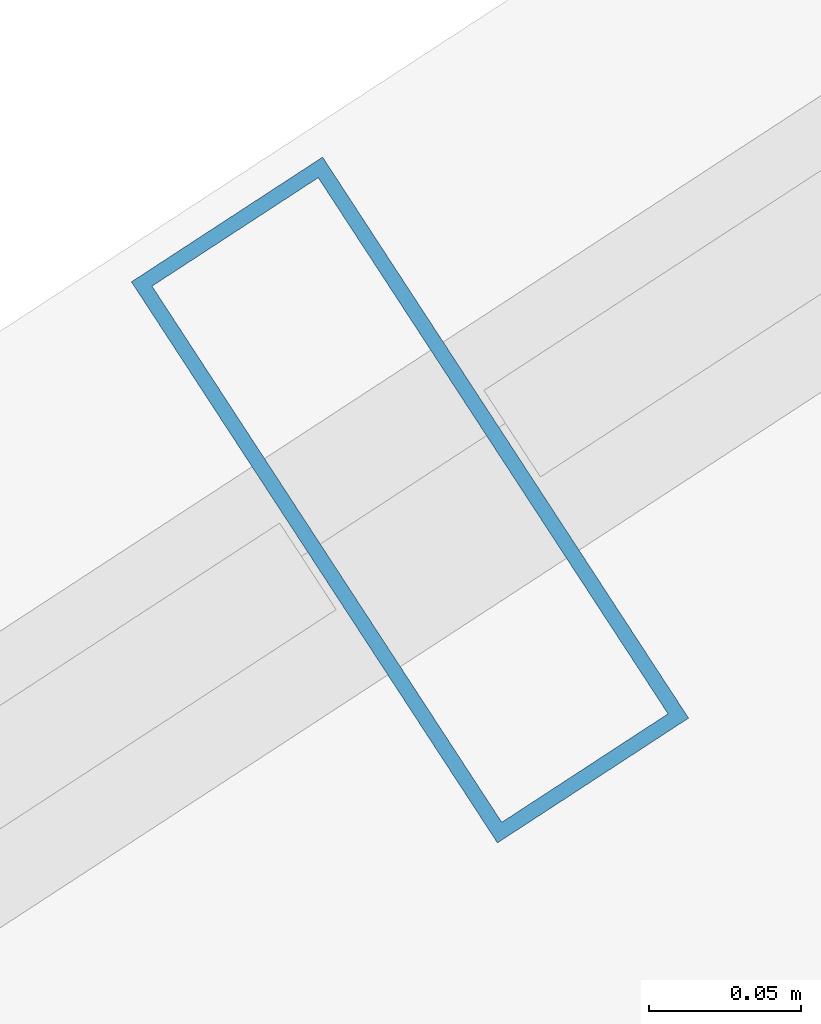
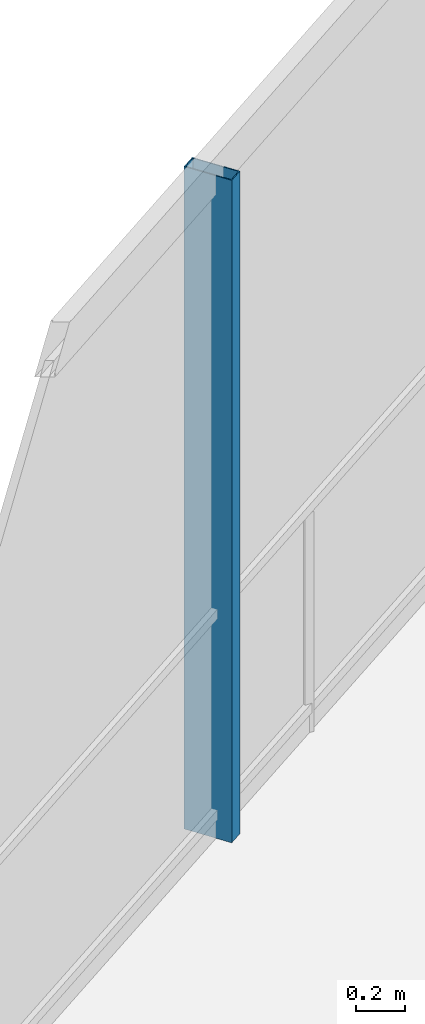
# One storey, part 10 of 18: 1 member, 1 element without a shape of its own.
"""IFC4 building model written with IfcOpenShell, lengths in metres."""

from ifc_helpers import new_model, si_unit, direction, frame, origin, origin_2d, place, context, subcontext, project, spatial, hollow_rectangle, extrude, material, layer, layer_set, material_profile, profile_set, type_object, element, aggregate, save


model = new_model("IFC4")

# Units and contexts
model_context = context("Model", 3, precision=1e-05, world=origin(), true_north=direction((0.0, 1.0)))
body_context = subcontext(model_context, "Body", "Model", "MODEL_VIEW")
ifc_project = project(units=[si_unit("LENGTHUNIT", "METRE"), si_unit("AREAUNIT", "SQUARE_METRE"), si_unit("VOLUMEUNIT", "CUBIC_METRE"), si_unit("PLANEANGLEUNIT", "RADIAN"), si_unit("MASSUNIT", "GRAM", prefix="KILO")], contexts=[model_context])

# Site, building, storey
site_placement = place(None, origin())
site = spatial("IfcSite", under=ifc_project, at=site_placement, CompositionType="ELEMENT")
building_placement = place(site_placement, origin())
building = spatial("IfcBuilding", under=site, at=building_placement, Name="Qarnah Convention Tower", CompositionType="ELEMENT")
storey_placement = place(building_placement, frame((0.0, 0.0, 191.39990234375)))
storey = spatial("IfcBuildingStorey", under=building, at=storey_placement, Name="L51", CompositionType="ELEMENT", Elevation=191.39990234375)

# Curtain wall, member
ifc_material_1 = material(Name="Tempered Low-E dark glass", Category="glass")
ifc_layer = layer(ifc_material_1, 0.174072265625)
ifc_layer_set = layer_set([ifc_layer], Name="Tempered Low-E dark glass")
curtain_wall_type = type_object("IfcCurtainWallType", Name="CWS-04", PredefinedType="NOTDEFINED", material=ifc_layer_set)
curtain_wall_placement = place(storey_placement, origin())
curtain_wall = element("IfcCurtainWall", 1, at=curtain_wall_placement, inside=storey, type_object=curtain_wall_type, Name="L51 unitised curtain wall CW-L51-F1", PredefinedType="NOTDEFINED")
ifc_material_2 = material(Name="Black anodised aluminium", Category="aluminium")
ifc_material_profile = material_profile(ifc_material_2, hollow_rectangle(XDim=0.074951171875, YDim=0.219970703125, WallThickness=0.0048828125, at=origin_2d()), Name="MUL-75X220")
ifc_profile_set = profile_set([ifc_material_profile], Name="Black anodised aluminium")
member_type = type_object("IfcMemberType", Name="MUL-T4", PredefinedType="MULLION", material=ifc_profile_set)
member_placement = place(storey_placement, frame((26.0849609375, 38.201171875, 0.0), z_axis=(0.0, 0.0, 1.0), x_axis=(0.837511598943, 0.546419547267, 0.0)))
member = element("IfcMember", 2, at=member_placement, type_object=member_type, Name="CW-L51-F1 mullion 3", PredefinedType="MULLION", context=body_context, shape_type="SweptSolid", body=[
    extrude(hollow_rectangle(XDim=0.074951171875, YDim=0.219970703125, WallThickness=0.0048828125, at=origin_2d()), origin(), (0.0, 0.0, 1.0), 3.320068359375),
])
aggregate(curtain_wall, [member])

save(model, "model.ifc")
